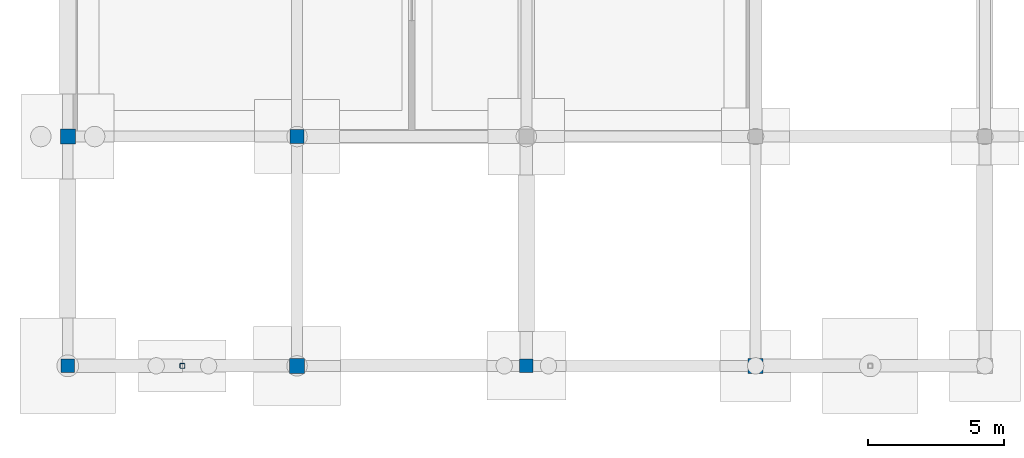
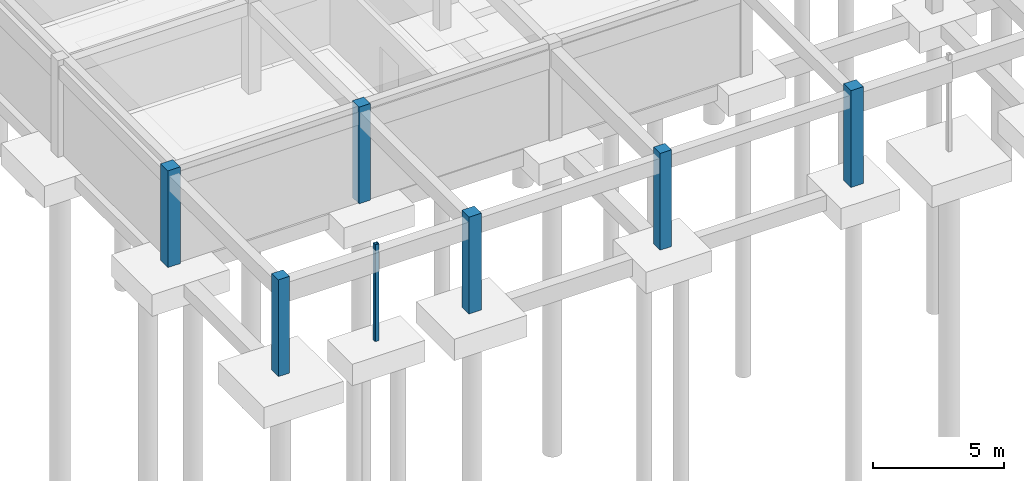
# One storey, part 8 of 43: 7 columns.
"""IFC4 building model written with IfcOpenShell, lengths in metres."""

from ifc_helpers import new_model, si_unit, derived_unit, direction, frame, origin, origin_2d, place, context, subcontext, project, spatial, rectangle, hollow_rectangle, extrude, material, material_profile, profile_set, type_object, element, save


model = new_model("IFC4")

# Units and contexts
model_context = context("Model", 3, precision=1e-05, world=origin(), true_north=direction((0.0, 1.0)))
body_context = subcontext(model_context, "Body", "Model", "MODEL_VIEW")
ifc_project = project(units=[si_unit("LENGTHUNIT", "METRE"), si_unit("AREAUNIT", "SQUARE_METRE"), si_unit("VOLUMEUNIT", "CUBIC_METRE"), si_unit("PLANEANGLEUNIT", "RADIAN"), si_unit("MASSUNIT", "GRAM", prefix="KILO"), derived_unit("THERMALTRANSMITTANCEUNIT", [(si_unit("POWERUNIT", "WATT"), 1), (si_unit("AREAUNIT", "SQUARE_METRE"), -1), (si_unit("THERMODYNAMICTEMPERATUREUNIT", "KELVIN"), -1)])], contexts=[model_context])

# Site, building, storey
site_placement = place(None, origin())
site = spatial("IfcSite", under=ifc_project, at=site_placement, CompositionType="ELEMENT")
building_placement = place(site_placement, origin())
building = spatial("IfcBuilding", under=site, at=building_placement, Name="Yasenodar Specialist Clinic", CompositionType="ELEMENT")
storey_placement = place(building_placement, frame((0.0, 0.0, -4.5)))
storey = spatial("IfcBuildingStorey", under=building, at=storey_placement, Name="B1", CompositionType="ELEMENT", Elevation=-4.5)

# Columns
ifc_material_1 = material(Name="Concrete C35/45", Category="concrete")
ifc_material_profile_1 = material_profile(ifc_material_1, rectangle(XDim=0.5, YDim=0.5, at=origin_2d()), Name="RC 500x500")
ifc_profile_set_1 = profile_set([ifc_material_profile_1], Name="Concrete C35/45")
column_type_1 = type_object("IfcColumnType", Name="COL-RC-500", PredefinedType="COLUMN", material=ifc_profile_set_1)
for number, where, z_axis, x_axis, name in (
    (1, (0.0, 0.0, 0.0), (0.0, 0.0, 1.0), (1.0, 0.0, 0.0), "B1 Column V2-001"),
    (2, (8.39990234375, 8.39990234375, 0.0), (0.0, 0.0, 1.0), (1.0, 0.0, 0.0), "B1 Column V2-017"),
    (3, (16.800048828125, 0.0, 0.0), (0.0, 0.0, 1.0), (1.0, 0.0, 0.0), "B1 Column V2-031"),
):
    element("IfcColumn", number, at=place(storey_placement, frame(where, z_axis=z_axis, x_axis=x_axis)), inside=storey, type_object=column_type_1, Name=name, PredefinedType="COLUMN", context=body_context, shape_type="SweptSolid", body=[
        extrude(rectangle(XDim=0.5, YDim=0.5, at=origin_2d()), origin(), (0.0, 0.0, 1.0), 4.5),
    ])
ifc_material_profile_2 = material_profile(ifc_material_1, rectangle(XDim=0.550048828125, YDim=0.550048828125, at=origin_2d()), Name="RC 550x550")
ifc_profile_set_2 = profile_set([ifc_material_profile_2], Name="Concrete C35/45")
column_type_2 = type_object("IfcColumnType", Name="COL-RC-550", PredefinedType="COLUMN", material=ifc_profile_set_2)
for number, where, z_axis, x_axis, name in (
    (4, (0.0, 8.39990234375, 0.0), (0.0, 0.0, 1.0), (1.0, 0.0, 0.0), "B1 Column V2-002"),
    (5, (8.39990234375, 0.0, 0.0), (0.0, 0.0, 1.0), (1.0, 0.0, 0.0), "B1 Column V2-016"),
    (6, (25.199951171875, 0.0, 0.0), (0.0, 0.0, 1.0), (1.0, 0.0, 0.0), "B1 Column V2-046"),
):
    element("IfcColumn", number, at=place(storey_placement, frame(where, z_axis=z_axis, x_axis=x_axis)), inside=storey, type_object=column_type_2, Name=name, PredefinedType="COLUMN", context=body_context, shape_type="SweptSolid", body=[
        extrude(rectangle(XDim=0.550048828125, YDim=0.550048828125, at=origin_2d()), origin(), (0.0, 0.0, 1.0), 4.5),
    ])
ifc_material_2 = material(Name="Steel S355", Category="steel")
ifc_material_profile_3 = material_profile(ifc_material_2, hollow_rectangle(XDim=0.179931640625, YDim=0.179931640625, WallThickness=0.010009765625, InnerFilletRadius=0.014892578125, OuterFilletRadius=0.02490234375, at=origin_2d()), Name="SHS 180x180x10")
ifc_profile_set_3 = profile_set([ifc_material_profile_3], Name="Steel S355")
column_type_3 = type_object("IfcColumnType", Name="PIL-ST-SHS180", PredefinedType="PILASTER", material=ifc_profile_set_3)
column_placement = place(storey_placement, frame((4.199951171875, 0.0, 0.0), z_axis=(0.0, 0.0, 1.0), x_axis=(1.0, 0.0, 0.0)))
element("IfcColumn", 7, at=column_placement, inside=storey, type_object=column_type_3, Name="B1 Arcade Pilaster 07", PredefinedType="PILASTER", context=body_context, shape_type="SweptSolid", body=[
    extrude(hollow_rectangle(XDim=0.179931640625, YDim=0.179931640625, WallThickness=0.010009765625, InnerFilletRadius=0.014892578125, OuterFilletRadius=0.02490234375, at=origin_2d()), origin(), (0.0, 0.0, 1.0), 4.5),
])

save(model, "model.ifc")
